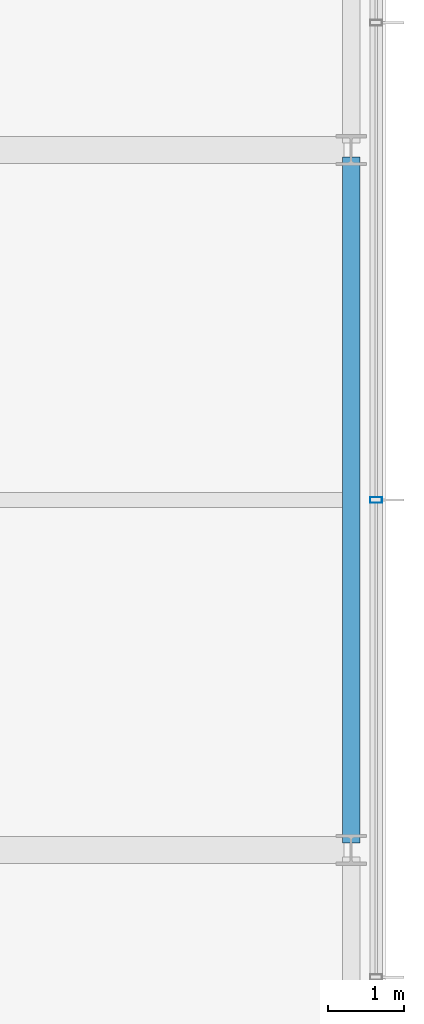
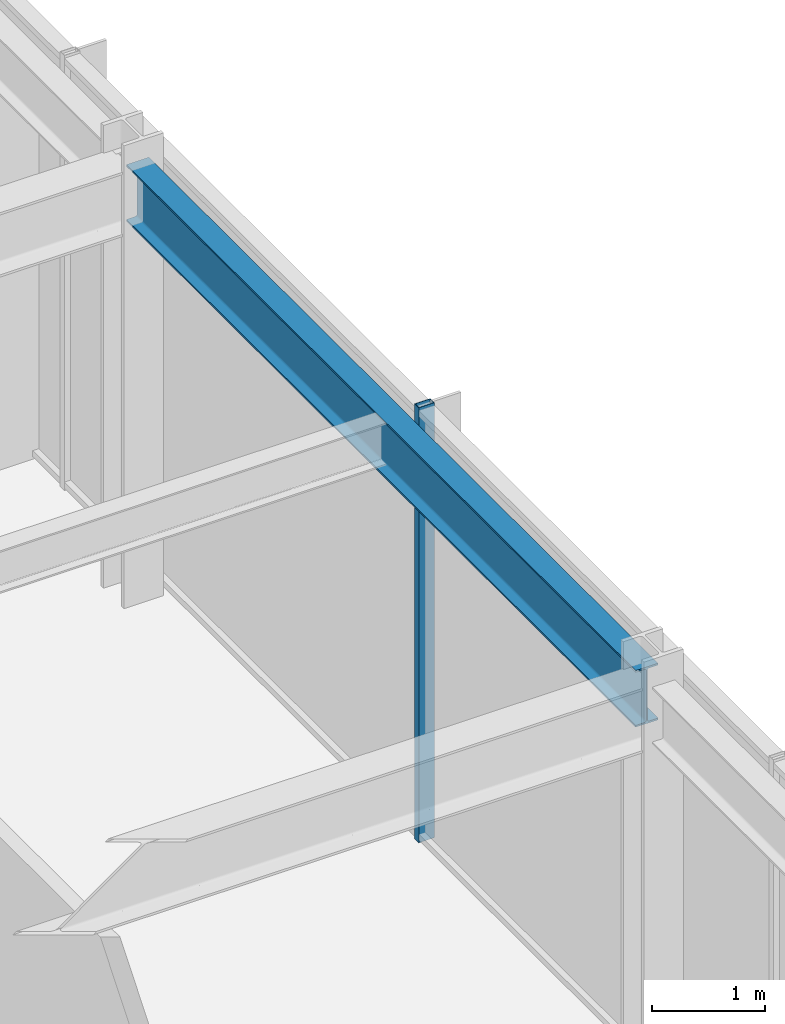
# One storey, part 12 of 31: 1 beam, 1 member, 1 element without a shape of its own.
"""IFC4 building model written with IfcOpenShell, lengths in metres."""

from ifc_helpers import new_model, si_unit, direction, frame, origin, origin_2d, place, context, subcontext, project, spatial, hollow_rectangle, i_section, extrude, material, material_profile, profile_set, type_object, element, aggregate, save


model = new_model("IFC4")

# Units and contexts
model_context = context("Model", 3, precision=1e-05, world=origin(), true_north=direction((0.0, 1.0)))
body_context = subcontext(model_context, "Body", "Model", "MODEL_VIEW")
ifc_project = project(units=[si_unit("LENGTHUNIT", "METRE"), si_unit("AREAUNIT", "SQUARE_METRE"), si_unit("VOLUMEUNIT", "CUBIC_METRE"), si_unit("PLANEANGLEUNIT", "RADIAN"), si_unit("MASSUNIT", "GRAM", prefix="KILO")], contexts=[model_context])

# Site, building, storey
site_placement = place(None, origin())
site = spatial("IfcSite", under=ifc_project, at=site_placement, CompositionType="ELEMENT")
building_placement = place(site_placement, origin())
building = spatial("IfcBuilding", under=site, at=building_placement, Name="Kolvaren Belvedere", CompositionType="ELEMENT")
storey_placement = place(building_placement, frame((0.0, 0.0, 267.39990234375)))
storey = spatial("IfcBuildingStorey", under=building, at=storey_placement, Name="L77", CompositionType="ELEMENT", Elevation=267.39990234375)

# Beam
ifc_material_1 = material(Name="Structural steel ASTM A992 Grade 50", Category="steel")
ifc_material_profile_1 = material_profile(ifc_material_1, i_section(OverallWidth=0.22900390625, OverallDepth=0.612060546875, WebThickness=0.011962890625, FlangeThickness=0.01953125, FilletRadius=0.01806640625, at=origin_2d()), Name="W24X84")
ifc_profile_set_1 = profile_set([ifc_material_profile_1], Name="Structural steel ASTM A992 Grade 50")
beam_type = type_object("IfcBeamType", Name="BM-SPAN-W24X84", PredefinedType="SPANDREL", material=ifc_profile_set_1)
beam_placement = place(storey_placement, frame((17.949951171875, -4.50830078125, 4.39404296875), z_axis=(0.0, 1.0, 0.0), x_axis=(-1.0, 0.0, 0.0)))
element("IfcBeam", 1, at=beam_placement, inside=storey, type_object=beam_type, Name="L77 Perimeter Spandrel E2-E3", PredefinedType="SPANDREL", context=body_context, shape_type="SweptSolid", body=[
    extrude(i_section(OverallWidth=0.22900390625, OverallDepth=0.612060546875, WebThickness=0.011962890625, FlangeThickness=0.01953125, FilletRadius=0.01806640625, at=origin_2d()), origin(), (0.0, 0.0, 1.0), 9.0166015625),
])

# Curtain wall, member
ifc_material_2 = material(Name="Anodised pale-metal aluminium AA 6063-T6", Category="aluminium")
curtain_wall_type = type_object("IfcCurtainWallType", Name="CW-CRN-OBS", PredefinedType="NOTDEFINED", material=ifc_material_2)
curtain_wall_placement = place(storey_placement, origin())
curtain_wall = element("IfcCurtainWall", 2, at=curtain_wall_placement, inside=storey, type_object=curtain_wall_type, Name="L77 Unitised Curtain Wall FCW-L77-E", PredefinedType="NOTDEFINED")
ifc_material_3 = material(Name="Anodised pale-metal aluminium AA 6063-T6", Category="aluminium")
ifc_material_profile_2 = material_profile(ifc_material_3, hollow_rectangle(XDim=0.074951171875, YDim=0.159912109375, WallThickness=0.00439453125, at=origin_2d()), Name="ALU-MUL-160X75")
ifc_profile_set_2 = profile_set([ifc_material_profile_2], Name="Anodised pale-metal aluminium AA 6063-T6")
member_type = type_object("IfcMemberType", Name="CW-MUL-160", PredefinedType="MULLION", material=ifc_profile_set_2)
member_placement = place(storey_placement, frame((18.280029296875, 0.0, 0.0), z_axis=(0.0, 0.0, 1.0), x_axis=(0.0, 1.0, 0.0)))
member = element("IfcMember", 3, at=member_placement, type_object=member_type, Name="FCW-L77-E Unitised Mullion 3", PredefinedType="MULLION", context=body_context, shape_type="SweptSolid", body=[
    extrude(hollow_rectangle(XDim=0.074951171875, YDim=0.159912109375, WallThickness=0.00439453125, at=origin_2d()), origin(), (0.0, 0.0, 1.0), 4.7001953125),
])
aggregate(curtain_wall, [member])

save(model, "model.ifc")
